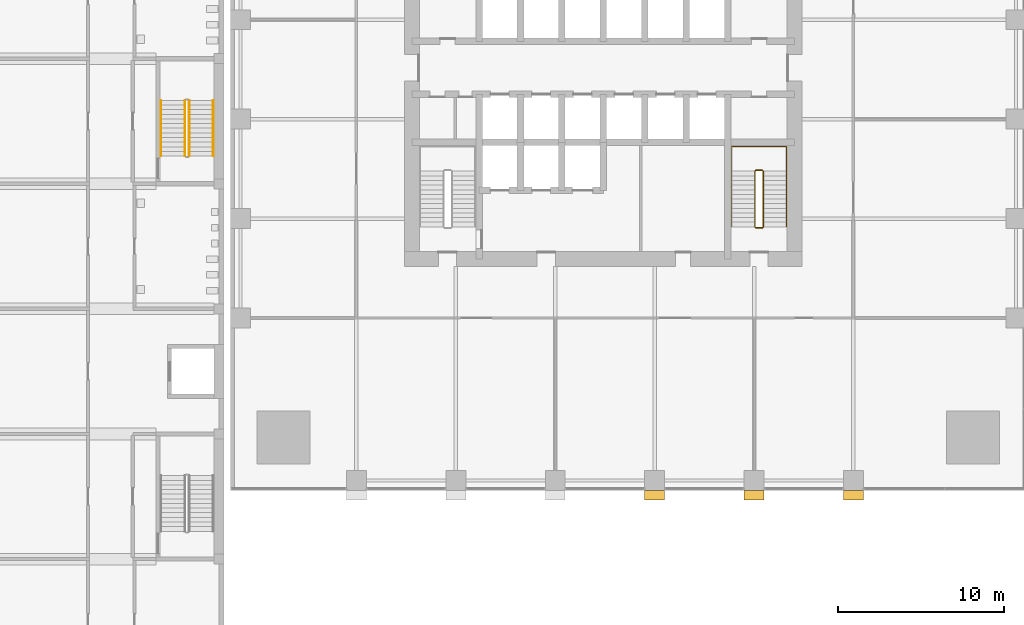
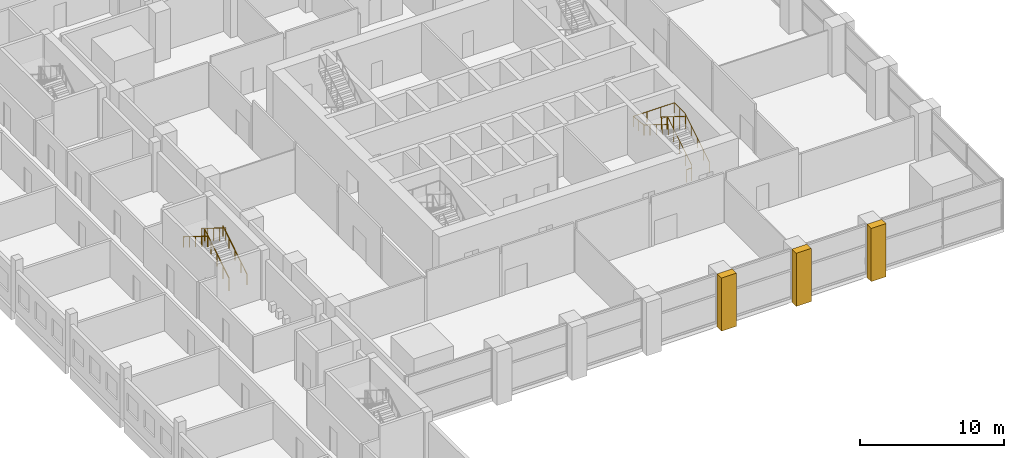
# One storey, part 21 of 25: 6 railings, 3 coverings.
"""IFC4 building model written with IfcOpenShell, lengths in metres."""

from ifc_helpers import new_model, si_unit, direction, frame, origin, origin_2d, place, context, subcontext, project, spatial, polyline, circle, outline, extrude, material, layer, layer_set, type_object, element, save


model = new_model("IFC4")

# Units and contexts
model_context = context("Model", 3, precision=1e-05, world=origin(), true_north=direction((0.0, 1.0)))
body_context = subcontext(model_context, "Body", "Model", "MODEL_VIEW")
ifc_project = project(units=[si_unit("LENGTHUNIT", "METRE"), si_unit("AREAUNIT", "SQUARE_METRE"), si_unit("VOLUMEUNIT", "CUBIC_METRE"), si_unit("PLANEANGLEUNIT", "RADIAN"), si_unit("MASSUNIT", "GRAM", prefix="KILO")], contexts=[model_context])

# Site, building, storey
site_placement = place(None, origin())
site = spatial("IfcSite", under=ifc_project, at=site_placement, CompositionType="ELEMENT")
building_placement = place(site_placement, origin())
building = spatial("IfcBuilding", under=site, at=building_placement, Name="Amberfall Residences", CompositionType="ELEMENT")
storey_placement = place(building_placement, frame((0.0, 0.0, 10.0)))
storey = spatial("IfcBuildingStorey", under=building, at=storey_placement, Name="L02", CompositionType="ELEMENT", Elevation=10.0)

# Coverings
ifc_material_1 = material(Name="Pale stone cladding on insulated backing", Category="masonry")
ifc_layer = layer(ifc_material_1, 1.199951171875)
ifc_layer_set = layer_set([ifc_layer], Name="Podium stone pier 1200 x 600")
covering_type = type_object("IfcCoveringType", Name="Podium stone pier 1200 x 600", PredefinedType="CLADDING", material=ifc_layer_set)
covering_1_placement = place(storey_placement, frame((0.0, 0.0, -0.300048828125)))
element("IfcCovering", 1, at=covering_1_placement, inside=storey, type_object=covering_type, Name="Podium pier L02 S4", PredefinedType="CLADDING", context=body_context, shape_type="SweptSolid", body=[
    extrude(outline(polyline([(77.0, 20.0), (78.199951171875, 20.0), (78.199951171875, 19.39990234375), (77.0, 19.39990234375), (77.0, 20.0)])), origin(), (0.0, 0.0, 1.0), 4.5),
])
covering_2_placement = place(storey_placement, frame((0.0, 0.0, -0.300048828125)))
element("IfcCovering", 2, at=covering_2_placement, inside=storey, type_object=covering_type, Name="Podium pier L02 S5", PredefinedType="CLADDING", context=body_context, shape_type="SweptSolid", body=[
    extrude(outline(polyline([(83.0, 20.0), (84.199951171875, 20.0), (84.199951171875, 19.39990234375), (83.0, 19.39990234375), (83.0, 20.0)])), origin(), (0.0, 0.0, 1.0), 4.5),
])
covering_3_placement = place(storey_placement, frame((0.0, 0.0, -0.300048828125)))
element("IfcCovering", 3, at=covering_3_placement, inside=storey, type_object=covering_type, Name="Podium pier L02 S6", PredefinedType="CLADDING", context=body_context, shape_type="SweptSolid", body=[
    extrude(outline(polyline([(89.0, 20.0), (90.199951171875, 20.0), (90.199951171875, 19.39990234375), (89.0, 19.39990234375), (89.0, 20.0)])), origin(), (0.0, 0.0, 1.0), 4.5),
])

# Railings
ifc_material_2 = material(Name="Stainless steel", Category="steel")
railing_type_1 = type_object("IfcRailingType", Name="School stair guard 1100", PredefinedType="GUARDRAIL", material=ifc_material_2)
railing_1_placement = place(storey_placement, frame((49.5, 40.175048828125, 0.173095703125)))
element("IfcRailing", 4, at=railing_1_placement, inside=storey, type_object=railing_type_1, Name="L02 SS2 stair guard 1", PredefinedType="GUARDRAIL", context=body_context, shape_type="SweptSolid", body=[
    extrude(circle(Radius=0.02392578125, at=origin_2d()), frame((0.0, 0.0, 1.076171875), z_axis=(0.0, 0.850606129759, 0.525803396734), x_axis=(-1.0, 0.0, 0.0)), (0.0, 0.0, 1.0), 3.949951171875),
    extrude(circle(Radius=0.02099609375, at=origin_2d()), origin(), (0.0, 0.0, 1.0), 1.052001953125),
    extrude(circle(Radius=0.02099609375, at=origin_2d()), frame((0.0, 0.83984375, 0.519287109375)), (0.0, 0.0, 1.0), 1.052001953125),
    extrude(circle(Radius=0.02099609375, at=origin_2d()), frame((0.0, 1.679931640625, 1.03857421875)), (0.0, 0.0, 1.0), 1.052001953125),
    extrude(circle(Radius=0.02099609375, at=origin_2d()), frame((0.0, 2.52001953125, 1.5576171875)), (0.0, 0.0, 1.0), 1.052001953125),
    extrude(circle(Radius=0.02099609375, at=origin_2d()), frame((0.0, 3.35986328125, 2.076904296875)), (0.0, 0.0, 1.0), 1.052001953125),
])
railing_2_placement = place(storey_placement, frame((49.25, 43.534912109375, 2.423095703125)))
element("IfcRailing", 5, at=railing_2_placement, inside=storey, type_object=railing_type_1, Name="L02 SS2 stair guard 3", PredefinedType="GUARDRAIL", context=body_context, shape_type="SweptSolid", body=[
    extrude(circle(Radius=0.02392578125, at=origin_2d()), frame((0.0, 0.0, 1.076171875), z_axis=(0.0, -0.850606129759, 0.525803396734), x_axis=(1.0, 0.0, 0.0)), (0.0, 0.0, 1.0), 3.949951171875),
    extrude(circle(Radius=0.02099609375, at=origin_2d()), origin(), (0.0, 0.0, 1.0), 1.052001953125),
    extrude(circle(Radius=0.02099609375, at=origin_2d()), frame((0.0, -0.83984375, 0.519287109375)), (0.0, 0.0, 1.0), 1.052001953125),
    extrude(circle(Radius=0.02099609375, at=origin_2d()), frame((0.0, -1.679931640625, 1.03857421875)), (0.0, 0.0, 1.0), 1.052001953125),
    extrude(circle(Radius=0.02099609375, at=origin_2d()), frame((0.0, -2.52001953125, 1.5576171875)), (0.0, 0.0, 1.0), 1.052001953125),
    extrude(circle(Radius=0.02099609375, at=origin_2d()), frame((0.0, -3.35986328125, 2.076904296875)), (0.0, 0.0, 1.0), 1.052001953125),
])
railing_type_2 = type_object("IfcRailingType", Name="School stair handrail", PredefinedType="HANDRAIL", material=ifc_material_2)
railing_3_placement = place(storey_placement, frame((50.949951171875, 40.175048828125, 0.173095703125)))
element("IfcRailing", 6, at=railing_3_placement, inside=storey, type_object=railing_type_2, Name="L02 SS2 stair handrail 1", PredefinedType="HANDRAIL", context=body_context, shape_type="SweptSolid", body=[
    extrude(circle(Radius=0.02392578125, at=origin_2d()), frame((0.0, 0.0, 0.8759765625), z_axis=(0.0, 0.850606129759, 0.525803396734), x_axis=(-1.0, 0.0, 0.0)), (0.0, 0.0, 1.0), 3.949951171875),
    extrude(circle(Radius=0.02099609375, at=origin_2d()), origin(), (0.0, 0.0, 1.0), 0.851806640625),
    extrude(circle(Radius=0.02099609375, at=origin_2d()), frame((0.0, 0.83984375, 0.519287109375)), (0.0, 0.0, 1.0), 0.851806640625),
    extrude(circle(Radius=0.02099609375, at=origin_2d()), frame((0.0, 1.679931640625, 1.03857421875)), (0.0, 0.0, 1.0), 0.851806640625),
    extrude(circle(Radius=0.02099609375, at=origin_2d()), frame((0.0, 2.52001953125, 1.5576171875)), (0.0, 0.0, 1.0), 0.851806640625),
    extrude(circle(Radius=0.02099609375, at=origin_2d()), frame((0.0, 3.35986328125, 2.076904296875)), (0.0, 0.0, 1.0), 0.851806640625),
])
railing_4_placement = place(storey_placement, frame((47.800048828125, 43.534912109375, 2.423095703125)))
element("IfcRailing", 7, at=railing_4_placement, inside=storey, type_object=railing_type_2, Name="L02 SS2 stair handrail 2", PredefinedType="HANDRAIL", context=body_context, shape_type="SweptSolid", body=[
    extrude(circle(Radius=0.02392578125, at=origin_2d()), frame((0.0, 0.0, 0.8759765625), z_axis=(0.0, -0.850606129759, 0.525803396734), x_axis=(1.0, 0.0, 0.0)), (0.0, 0.0, 1.0), 3.949951171875),
    extrude(circle(Radius=0.02099609375, at=origin_2d()), origin(), (0.0, 0.0, 1.0), 0.851806640625),
    extrude(circle(Radius=0.02099609375, at=origin_2d()), frame((0.0, -0.83984375, 0.519287109375)), (0.0, 0.0, 1.0), 0.851806640625),
    extrude(circle(Radius=0.02099609375, at=origin_2d()), frame((0.0, -1.679931640625, 1.03857421875)), (0.0, 0.0, 1.0), 0.851806640625),
    extrude(circle(Radius=0.02099609375, at=origin_2d()), frame((0.0, -2.52001953125, 1.5576171875)), (0.0, 0.0, 1.0), 0.851806640625),
    extrude(circle(Radius=0.02099609375, at=origin_2d()), frame((0.0, -3.35986328125, 2.076904296875)), (0.0, 0.0, 1.0), 0.851806640625),
])
ifc_material_3 = material(Name="Stainless steel 316", Category="steel")
railing_type_3 = type_object("IfcRailingType", Name="Stair guard 1100", PredefinedType="GUARDRAIL", material=ifc_material_3)
railing_5_placement = place(storey_placement, frame((83.699951171875, 35.85009765625, 0.0)))
element("IfcRailing", 8, at=railing_5_placement, inside=storey, type_object=railing_type_3, Name="L02 stair 2 guard", PredefinedType="GUARDRAIL", context=body_context, shape_type="SweptSolid", body=[
    extrude(circle(Radius=0.02392578125, at=origin_2d()), frame((0.0, 0.0, 1.076171875), z_axis=(1.0, 0.0, 0.0), x_axis=(0.0, 1.0, 0.0)), (0.0, 0.0, 1.0), 0.400146484375),
    extrude(circle(Radius=0.02392578125, at=origin_2d()), frame((0.400146484375, 0.0, 1.076171875), z_axis=(0.26651005591, 0.26651005591, 0.926253086471), x_axis=(-0.707106781187, 0.707106781187, 0.0)), (0.0, 0.0, 1.0), 0.186767578125),
    extrude(circle(Radius=0.02392578125, at=origin_2d()), frame((0.449951171875, 0.0498046875, 1.2490234375), z_axis=(0.0, 0.850623216509, 0.525775754039), x_axis=(-1.0, 0.0, 0.0)), (0.0, 0.0, 1.0), 3.9501953125),
    extrude(circle(Radius=0.02392578125, at=origin_2d()), frame((0.449951171875, 3.409912109375, 3.326171875), z_axis=(-0.705375805398, 0.708833529934, 0.0), x_axis=(-0.708833529934, -0.705375805398, 0.0)), (0.0, 0.0, 1.0), 0.070556640625),
    extrude(circle(Radius=0.02392578125, at=origin_2d()), frame((0.400146484375, 3.4599609375, 3.326171875), z_axis=(-1.0, 0.0, 0.0), x_axis=(0.0, -1.0, 0.0)), (0.0, 0.0, 1.0), 0.400146484375),
    extrude(circle(Radius=0.02392578125, at=origin_2d()), frame((0.0, 3.4599609375, 3.326171875), z_axis=(-0.267629722418, -0.267629722418, 0.925607186314), x_axis=(0.707106781187, -0.707106781187, 0.0)), (0.0, 0.0, 1.0), 0.18701171875),
    extrude(circle(Radius=0.02392578125, at=origin_2d()), frame((-0.050048828125, 3.409912109375, 3.4990234375), z_axis=(0.0, -0.850623216509, 0.525775754039), x_axis=(1.0, 0.0, 0.0)), (0.0, 0.0, 1.0), 3.9501953125),
    extrude(circle(Radius=0.02099609375, at=origin_2d()), origin(), (0.0, 0.0, 1.0), 1.052001953125),
    extrude(circle(Radius=0.02099609375, at=origin_2d()), frame((0.400146484375, 0.0, 0.0)), (0.0, 0.0, 1.0), 1.052001953125),
    extrude(circle(Radius=0.02099609375, at=origin_2d()), frame((0.449951171875, 0.0498046875, 0.173095703125)), (0.0, 0.0, 1.0), 1.052001953125),
    extrude(circle(Radius=0.02099609375, at=origin_2d()), frame((0.449951171875, 0.889892578125, 0.6923828125)), (0.0, 0.0, 1.0), 1.052001953125),
    extrude(circle(Radius=0.02099609375, at=origin_2d()), frame((0.449951171875, 1.72998046875, 1.21142578125)), (0.0, 0.0, 1.0), 1.052001953125),
    extrude(circle(Radius=0.02099609375, at=origin_2d()), frame((0.449951171875, 2.56982421875, 1.730712890625)), (0.0, 0.0, 1.0), 1.052001953125),
    extrude(circle(Radius=0.02099609375, at=origin_2d()), frame((0.449951171875, 3.409912109375, 2.25)), (0.0, 0.0, 1.0), 1.052001953125),
    extrude(circle(Radius=0.02099609375, at=origin_2d()), frame((0.400146484375, 3.4599609375, 2.25)), (0.0, 0.0, 1.0), 1.052001953125),
    extrude(circle(Radius=0.02099609375, at=origin_2d()), frame((0.0, 3.4599609375, 2.25)), (0.0, 0.0, 1.0), 1.052001953125),
    extrude(circle(Radius=0.02099609375, at=origin_2d()), frame((-0.050048828125, 3.409912109375, 2.423095703125)), (0.0, 0.0, 1.0), 1.052001953125),
    extrude(circle(Radius=0.02099609375, at=origin_2d()), frame((-0.050048828125, 2.56982421875, 2.9423828125)), (0.0, 0.0, 1.0), 1.052001953125),
    extrude(circle(Radius=0.02099609375, at=origin_2d()), frame((-0.050048828125, 1.72998046875, 3.46142578125)), (0.0, 0.0, 1.0), 1.052001953125),
    extrude(circle(Radius=0.02099609375, at=origin_2d()), frame((-0.050048828125, 0.889892578125, 3.980712890625)), (0.0, 0.0, 1.0), 1.052001953125),
    extrude(circle(Radius=0.02099609375, at=origin_2d()), frame((-0.050048828125, 0.0498046875, 4.5)), (0.0, 0.0, 1.0), 1.052001953125),
])
railing_type_4 = type_object("IfcRailingType", Name="Stair handrail 900", PredefinedType="HANDRAIL", material=ifc_material_3)
railing_6_placement = place(storey_placement, frame((85.550048828125, 35.89990234375, 0.173095703125)))
element("IfcRailing", 9, at=railing_6_placement, inside=storey, type_object=railing_type_4, Name="L02 stair 2 handrail", PredefinedType="HANDRAIL", context=body_context, shape_type="SweptSolid", body=[
    extrude(circle(Radius=0.02392578125, at=origin_2d()), frame((0.0, 0.0, 0.8759765625), z_axis=(0.0, 0.850623216509, 0.525775754039), x_axis=(-1.0, 0.0, 0.0)), (0.0, 0.0, 1.0), 3.9501953125),
    extrude(circle(Radius=0.02392578125, at=origin_2d()), frame((0.0, 3.360107421875, 2.95263671875), z_axis=(0.0, 1.0, 0.0), x_axis=(-1.0, 0.0, 0.0)), (0.0, 0.0, 1.0), 1.489990234375),
    extrude(circle(Radius=0.02392578125, at=origin_2d()), frame((0.0, 4.85009765625, 2.95263671875), z_axis=(-1.0, 0.0, 0.0), x_axis=(0.0, -1.0, 0.0)), (0.0, 0.0, 1.0), 3.300048828125),
    extrude(circle(Radius=0.02392578125, at=origin_2d()), frame((-3.300048828125, 4.85009765625, 2.95263671875), z_axis=(0.0, -0.993319533971, 0.115396288642), x_axis=(1.0, 0.0, 0.0)), (0.0, 0.0, 1.0), 1.5),
    extrude(circle(Radius=0.02392578125, at=origin_2d()), frame((-3.300048828125, 3.360107421875, 3.1259765625), z_axis=(0.0, -0.850623216509, 0.525775754039), x_axis=(1.0, 0.0, 0.0)), (0.0, 0.0, 1.0), 3.9501953125),
    extrude(circle(Radius=0.02099609375, at=origin_2d()), origin(), (0.0, 0.0, 1.0), 0.851806640625),
    extrude(circle(Radius=0.02099609375, at=origin_2d()), frame((0.0, 0.840087890625, 0.519287109375)), (0.0, 0.0, 1.0), 0.851806640625),
    extrude(circle(Radius=0.02099609375, at=origin_2d()), frame((0.0, 1.68017578125, 1.03857421875)), (0.0, 0.0, 1.0), 0.851806640625),
    extrude(circle(Radius=0.02099609375, at=origin_2d()), frame((0.0, 2.52001953125, 1.5576171875)), (0.0, 0.0, 1.0), 0.851806640625),
    extrude(circle(Radius=0.02099609375, at=origin_2d()), frame((0.0, 3.360107421875, 2.076904296875)), (0.0, 0.0, 1.0), 0.851806640625),
    extrude(circle(Radius=0.02099609375, at=origin_2d()), frame((0.0, 4.10498046875, 2.076904296875)), (0.0, 0.0, 1.0), 0.851806640625),
    extrude(circle(Radius=0.02099609375, at=origin_2d()), frame((0.0, 4.85009765625, 2.076904296875)), (0.0, 0.0, 1.0), 0.851806640625),
    extrude(circle(Radius=0.02099609375, at=origin_2d()), frame((-1.10009765625, 4.85009765625, 2.076904296875)), (0.0, 0.0, 1.0), 0.851806640625),
    extrude(circle(Radius=0.02099609375, at=origin_2d()), frame((-2.199951171875, 4.85009765625, 2.076904296875)), (0.0, 0.0, 1.0), 0.851806640625),
    extrude(circle(Radius=0.02099609375, at=origin_2d()), frame((-3.300048828125, 4.85009765625, 2.076904296875)), (0.0, 0.0, 1.0), 0.851806640625),
    extrude(circle(Radius=0.02099609375, at=origin_2d()), frame((-3.300048828125, 4.10498046875, 2.16357421875)), (0.0, 0.0, 1.0), 0.851806640625),
    extrude(circle(Radius=0.02099609375, at=origin_2d()), frame((-3.300048828125, 3.360107421875, 2.25)), (0.0, 0.0, 1.0), 0.851806640625),
    extrude(circle(Radius=0.02099609375, at=origin_2d()), frame((-3.300048828125, 2.52001953125, 2.769287109375)), (0.0, 0.0, 1.0), 0.851806640625),
    extrude(circle(Radius=0.02099609375, at=origin_2d()), frame((-3.300048828125, 1.68017578125, 3.28857421875)), (0.0, 0.0, 1.0), 0.851806640625),
    extrude(circle(Radius=0.02099609375, at=origin_2d()), frame((-3.300048828125, 0.840087890625, 3.8076171875)), (0.0, 0.0, 1.0), 0.851806640625),
    extrude(circle(Radius=0.02099609375, at=origin_2d()), frame((-3.300048828125, 0.0, 4.326904296875)), (0.0, 0.0, 1.0), 0.851806640625),
])

save(model, "model.ifc")
